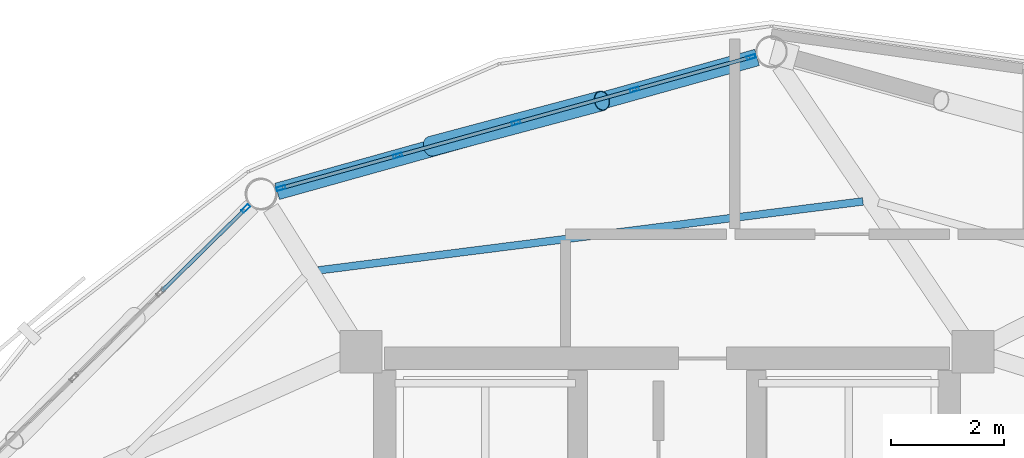
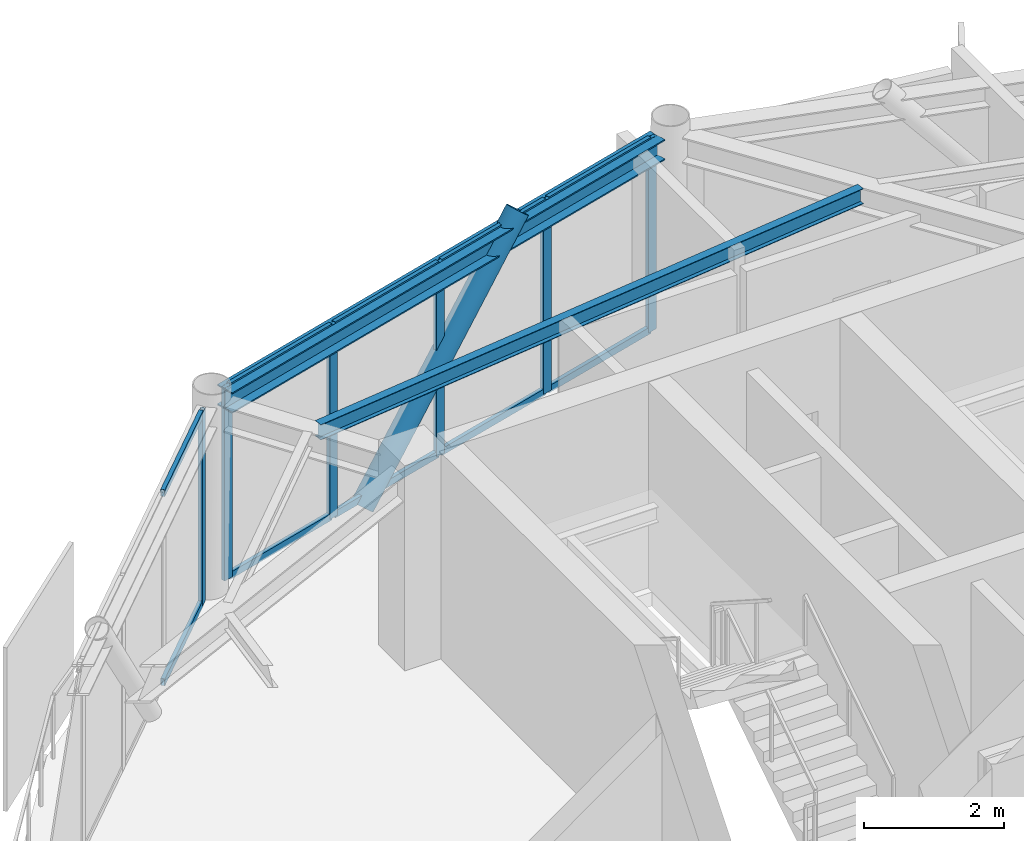
# One storey, part 18 of 27: 17 members, 2 beams, 2 elements without a shape of their own.
"""IFC4 building model written with IfcOpenShell, lengths in metres."""

from ifc_helpers import new_model, si_unit, direction, frame, origin, origin_2d, place, context, subcontext, project, spatial, hollow_rectangle, hollow_circle, i_section, extrude, material, layer, layer_set, material_profile, profile_set, type_object, element, aggregate, save


model = new_model("IFC4")

# Units and contexts
model_context = context("Model", 3, precision=1e-05, world=origin(), true_north=direction((0.0, 1.0)))
body_context = subcontext(model_context, "Body", "Model", "MODEL_VIEW")
ifc_project = project(units=[si_unit("LENGTHUNIT", "METRE"), si_unit("AREAUNIT", "SQUARE_METRE"), si_unit("VOLUMEUNIT", "CUBIC_METRE"), si_unit("PLANEANGLEUNIT", "RADIAN"), si_unit("MASSUNIT", "GRAM", prefix="KILO")], contexts=[model_context])

# Site, building, storey
site_placement = place(None, origin())
site = spatial("IfcSite", under=ifc_project, at=site_placement, CompositionType="ELEMENT")
building_placement = place(site_placement, origin())
building = spatial("IfcBuilding", under=site, at=building_placement, Name="Varnakorn Sky Granary", CompositionType="ELEMENT")
storey_placement = place(building_placement, frame((0.0, 0.0, 263.39990234375)))
storey = spatial("IfcBuildingStorey", under=building, at=storey_placement, Name="L67", CompositionType="ELEMENT", Elevation=263.39990234375)

# Beams
ifc_material_1 = material(Name="Steel S355JR", Category="steel")
ifc_material_profile_1 = material_profile(ifc_material_1, i_section(OverallWidth=0.135009765625, OverallDepth=0.27001953125, WebThickness=0.006591796875, FlangeThickness=0.01025390625, at=origin_2d()), Name="IPE 270")
ifc_profile_set_1 = profile_set([ifc_material_profile_1], Name="Steel S355JR")
beam_type_1 = type_object("IfcBeamType", Name="BM-SEC-Z5", PredefinedType="BEAM", material=ifc_profile_set_1)
beam_1_placement = place(storey_placement, frame((6.470703125, 15.281494140625, 3.22509765625), z_axis=(-0.992072183401, -0.125669339625, 0.0), x_axis=(0.125669339625, -0.992072183401, 0.0)))
element("IfcBeam", 1, at=beam_1_placement, inside=storey, type_object=beam_type_1, Name="Secondary Floor Chord Beam MSB04 L67", PredefinedType="BEAM", context=body_context, shape_type="SweptSolid", body=[
    extrude(i_section(OverallWidth=0.135009765625, OverallDepth=0.27001953125, WebThickness=0.006591796875, FlangeThickness=0.01025390625, at=origin_2d()), origin(), (0.0, 0.0, 1.0), 9.723388671875),
])
ifc_material_profile_2 = material_profile(ifc_material_1, i_section(OverallWidth=0.300048828125, OverallDepth=0.360107421875, WebThickness=0.012451171875, FlangeThickness=0.0224609375, at=origin_2d()), Name="HE 360 B")
ifc_profile_set_2 = profile_set([ifc_material_profile_2], Name="Steel S355JR")
beam_type_2 = type_object("IfcBeamType", Name="BM-SPD-Z5", PredefinedType="SPANDREL", material=ifc_profile_set_2)
beam_2_placement = place(storey_placement, frame((4.59521484375, 17.831787109375, 3.18017578125), z_axis=(-0.963169148577, -0.268896246218, 0.0), x_axis=(0.268896246218, -0.963169148577, 0.0)))
element("IfcBeam", 2, at=beam_2_placement, inside=storey, type_object=beam_type_2, Name="Perimeter Spandrel Ring Beam RB04 L67", PredefinedType="SPANDREL", context=body_context, shape_type="SweptSolid", body=[
    extrude(i_section(OverallWidth=0.300048828125, OverallDepth=0.360107421875, WebThickness=0.012451171875, FlangeThickness=0.0224609375, at=origin_2d()), origin(), (0.0, 0.0, 1.0), 8.825927734375),
])

# Curtain wall, members
ifc_material_2 = material(Name="Anodised Bronze Aluminium Alloy 6063-T6", Category="aluminium")
ifc_layer = layer(ifc_material_2, 0.159912109375, Name="Anodised Bronze Aluminium Alloy 6063-T6")
ifc_layer_set = layer_set([ifc_layer], Name="Anodised Bronze Aluminium Alloy 6063-T6")
curtain_wall_type = type_object("IfcCurtainWallType", Name="CW-OFF-1", PredefinedType="USERDEFINED", material=ifc_layer_set)
curtain_wall_1_placement = place(storey_placement, origin())
curtain_wall_1 = element("IfcCurtainWall", 3, at=curtain_wall_1_placement, inside=storey, type_object=curtain_wall_type, Name="Unitised Curtain Wall CW6 CW-L67-B04", ObjectType="CURTAIN WALL", PredefinedType="USERDEFINED")
ifc_material_profile_3 = material_profile(ifc_material_2, hollow_rectangle(XDim=0.06494140625, YDim=0.159912109375, WallThickness=0.00341796875, at=origin_2d()), Name="ALU MULL 65x160")
ifc_profile_set_3 = profile_set([ifc_material_profile_3], Name="Anodised Bronze Aluminium Alloy 6063-T6")
member_type_1 = type_object("IfcMemberType", Name="CW-OFF-1-MULL", PredefinedType="MULLION", material=ifc_profile_set_3)
member_1_placement = place(storey_placement, frame((-3.836181640625, 15.516845703125, 0.0), z_axis=(0.0, 0.0, 1.0), x_axis=(-0.268401127573, 0.963307237966, 0.0)))
member_1 = element("IfcMember", 4, at=member_1_placement, type_object=member_type_1, Name="CW6 mullion 1", PredefinedType="MULLION", context=body_context, shape_type="SweptSolid", body=[
    extrude(hollow_rectangle(XDim=0.06494140625, YDim=0.159912109375, WallThickness=0.00341796875, at=origin_2d()), origin(), (0.0, 0.0, 1.0), 3.360107421875),
])
member_2_placement = place(storey_placement, frame((-1.769775390625, 16.092529296875, 0.0), z_axis=(0.0, 0.0, 1.0), x_axis=(-0.268401127573, 0.963307237966, 0.0)))
member_2 = element("IfcMember", 5, at=member_2_placement, type_object=member_type_1, Name="CW6 mullion 2", PredefinedType="MULLION", context=body_context, shape_type="SweptSolid", body=[
    extrude(hollow_rectangle(XDim=0.06494140625, YDim=0.159912109375, WallThickness=0.00341796875, at=origin_2d()), origin(), (0.0, 0.0, 1.0), 3.360107421875),
])
member_3_placement = place(storey_placement, frame((0.32763671875, 16.677001953125, 0.0), z_axis=(0.0, 0.0, 1.0), x_axis=(-0.268401127573, 0.963307237966, 0.0)))
member_3 = element("IfcMember", 6, at=member_3_placement, type_object=member_type_1, Name="CW6 mullion 3", PredefinedType="MULLION", context=body_context, shape_type="SweptSolid", body=[
    extrude(hollow_rectangle(XDim=0.06494140625, YDim=0.159912109375, WallThickness=0.00341796875, at=origin_2d()), origin(), (0.0, 0.0, 1.0), 3.360107421875),
])
member_4_placement = place(storey_placement, frame((2.42529296875, 17.261474609375, 0.0), z_axis=(0.0, 0.0, 1.0), x_axis=(-0.268401127573, 0.963307237966, 0.0)))
member_4 = element("IfcMember", 7, at=member_4_placement, type_object=member_type_1, Name="CW6 mullion 4", PredefinedType="MULLION", context=body_context, shape_type="SweptSolid", body=[
    extrude(hollow_rectangle(XDim=0.06494140625, YDim=0.159912109375, WallThickness=0.00341796875, at=origin_2d()), origin(), (0.0, 0.0, 1.0), 3.360107421875),
])
member_5_placement = place(storey_placement, frame((4.49169921875, 17.837158203125, 0.0), z_axis=(0.0, 0.0, 1.0), x_axis=(-0.268401127573, 0.963307237966, 0.0)))
member_5 = element("IfcMember", 8, at=member_5_placement, type_object=member_type_1, Name="CW6 mullion 5", PredefinedType="MULLION", context=body_context, shape_type="SweptSolid", body=[
    extrude(hollow_rectangle(XDim=0.06494140625, YDim=0.159912109375, WallThickness=0.00341796875, at=origin_2d()), origin(), (0.0, 0.0, 1.0), 3.360107421875),
])

# Curtain wall, member
curtain_wall_2_placement = place(storey_placement, origin())
curtain_wall_2 = element("IfcCurtainWall", 9, at=curtain_wall_2_placement, inside=storey, type_object=curtain_wall_type, Name="Unitised Curtain Wall CW6 CW-L67-B05", ObjectType="CURTAIN WALL", PredefinedType="USERDEFINED")
member_6_placement = place(storey_placement, frame((-4.459716796875, 15.156005859375, 0.0), z_axis=(0.0, 0.0, 1.0), x_axis=(-0.701440030116, 0.71272847856, 0.0)))
member_6 = element("IfcMember", 10, at=member_6_placement, type_object=member_type_1, Name="CW6 mullion 5", PredefinedType="MULLION", context=body_context, shape_type="SweptSolid", body=[
    extrude(hollow_rectangle(XDim=0.06494140625, YDim=0.159912109375, WallThickness=0.00341796875, at=origin_2d()), origin(), (0.0, 0.0, 1.0), 3.360107421875),
])

# Member
ifc_material_profile_4 = material_profile(ifc_material_2, hollow_rectangle(XDim=0.06494140625, YDim=0.1201171875, WallThickness=0.00341796875, at=origin_2d()), Name="ALU TRAN 65x120")
ifc_profile_set_4 = profile_set([ifc_material_profile_4], Name="Anodised Bronze Aluminium Alloy 6063-T6")
member_type_2 = type_object("IfcMemberType", Name="CW-OFF-1-TRAN", PredefinedType="USERDEFINED", material=ifc_profile_set_4)
member_7_placement = place(storey_placement, frame((-3.804931640625, 15.525634765625, 0.03271484375), z_axis=(0.963327640961, 0.26832788927, 0.0), x_axis=(-0.26832788927, 0.963327640961, 0.0)))
member_7 = element("IfcMember", 11, at=member_7_placement, type_object=member_type_2, Name="CW6 transom 1.1", ObjectType="TRANSOM", PredefinedType="USERDEFINED", context=body_context, shape_type="SweptSolid", body=[
    extrude(hollow_rectangle(XDim=0.06494140625, YDim=0.1201171875, WallThickness=0.00341796875, at=origin_2d()), origin(), (0.0, 0.0, 1.0), 2.079833984375),
])

member_8_placement = place(storey_placement, frame((-3.804931640625, 15.525634765625, 3.32763671875), z_axis=(0.963327640961, 0.26832788927, 0.0), x_axis=(-0.26832788927, 0.963327640961, 0.0)))
member_8 = element("IfcMember", 12, at=member_8_placement, type_object=member_type_2, Name="CW6 transom 1.2", ObjectType="TRANSOM", PredefinedType="USERDEFINED", context=body_context, shape_type="SweptSolid", body=[
    extrude(hollow_rectangle(XDim=0.06494140625, YDim=0.1201171875, WallThickness=0.00341796875, at=origin_2d()), origin(), (0.0, 0.0, 1.0), 2.079833984375),
])

member_9_placement = place(storey_placement, frame((-1.738525390625, 16.101318359375, 0.03271484375), z_axis=(0.963317287661, 0.268365056023, 0.0), x_axis=(-0.268365056023, 0.963317287661, 0.0)))
member_9 = element("IfcMember", 13, at=member_9_placement, type_object=member_type_2, Name="CW6 transom 2.1", ObjectType="TRANSOM", PredefinedType="USERDEFINED", context=body_context, shape_type="SweptSolid", body=[
    extrude(hollow_rectangle(XDim=0.06494140625, YDim=0.1201171875, WallThickness=0.00341796875, at=origin_2d()), origin(), (0.0, 0.0, 1.0), 2.1123046875),
])

member_10_placement = place(storey_placement, frame((-1.738525390625, 16.101318359375, 3.32763671875), z_axis=(0.963317287661, 0.268365056023, 0.0), x_axis=(-0.268365056023, 0.963317287661, 0.0)))
member_10 = element("IfcMember", 14, at=member_10_placement, type_object=member_type_2, Name="CW6 transom 2.2", ObjectType="TRANSOM", PredefinedType="USERDEFINED", context=body_context, shape_type="SweptSolid", body=[
    extrude(hollow_rectangle(XDim=0.06494140625, YDim=0.1201171875, WallThickness=0.00341796875, at=origin_2d()), origin(), (0.0, 0.0, 1.0), 2.1123046875),
])

member_11_placement = place(storey_placement, frame((0.359130859375, 16.685791015625, 0.03271484375), z_axis=(0.963317287661, 0.268365056023, 0.0), x_axis=(-0.268365056023, 0.963317287661, 0.0)))
member_11 = element("IfcMember", 15, at=member_11_placement, type_object=member_type_2, Name="CW6 transom 3.1", ObjectType="TRANSOM", PredefinedType="USERDEFINED", context=body_context, shape_type="SweptSolid", body=[
    extrude(hollow_rectangle(XDim=0.06494140625, YDim=0.1201171875, WallThickness=0.00341796875, at=origin_2d()), origin(), (0.0, 0.0, 1.0), 2.1123046875),
])

member_12_placement = place(storey_placement, frame((0.359130859375, 16.685791015625, 3.32763671875), z_axis=(0.963317287661, 0.268365056023, 0.0), x_axis=(-0.268365056023, 0.963317287661, 0.0)))
member_12 = element("IfcMember", 16, at=member_12_placement, type_object=member_type_2, Name="CW6 transom 3.2", ObjectType="TRANSOM", PredefinedType="USERDEFINED", context=body_context, shape_type="SweptSolid", body=[
    extrude(hollow_rectangle(XDim=0.06494140625, YDim=0.1201171875, WallThickness=0.00341796875, at=origin_2d()), origin(), (0.0, 0.0, 1.0), 2.1123046875),
])

member_13_placement = place(storey_placement, frame((2.456787109375, 17.270263671875, 0.03271484375), z_axis=(0.963327640961, 0.26832788927, 0.0), x_axis=(-0.26832788927, 0.963327640961, 0.0)))
member_13 = element("IfcMember", 17, at=member_13_placement, type_object=member_type_2, Name="CW6 transom 4.1", ObjectType="TRANSOM", PredefinedType="USERDEFINED", context=body_context, shape_type="SweptSolid", body=[
    extrude(hollow_rectangle(XDim=0.06494140625, YDim=0.1201171875, WallThickness=0.00341796875, at=origin_2d()), origin(), (0.0, 0.0, 1.0), 2.079833984375),
])

member_14_placement = place(storey_placement, frame((2.456787109375, 17.270263671875, 3.32763671875), z_axis=(0.963327640961, 0.26832788927, 0.0), x_axis=(-0.26832788927, 0.963327640961, 0.0)))
member_14 = element("IfcMember", 18, at=member_14_placement, type_object=member_type_2, Name="CW6 transom 4.2", ObjectType="TRANSOM", PredefinedType="USERDEFINED", context=body_context, shape_type="SweptSolid", body=[
    extrude(hollow_rectangle(XDim=0.06494140625, YDim=0.1201171875, WallThickness=0.00341796875, at=origin_2d()), origin(), (0.0, 0.0, 1.0), 2.079833984375),
])

aggregate(curtain_wall_1, [member_1, member_2, member_3, member_4, member_5, member_7, member_8, member_9, member_10, member_11, member_12, member_13, member_14])

member_15_placement = place(storey_placement, frame((-5.947509765625, 13.691650390625, 0.03271484375), z_axis=(0.712668234891, 0.701501238044, 0.0), x_axis=(-0.701501238044, 0.712668234891, 0.0)))
member_15 = element("IfcMember", 19, at=member_15_placement, type_object=member_type_2, Name="CW6 transom 4.1", ObjectType="TRANSOM", PredefinedType="USERDEFINED", context=body_context, shape_type="SweptSolid", body=[
    extrude(hollow_rectangle(XDim=0.06494140625, YDim=0.1201171875, WallThickness=0.00341796875, at=origin_2d()), origin(), (0.0, 0.0, 1.0), 2.05517578125),
])

member_16_placement = place(storey_placement, frame((-5.947509765625, 13.691650390625, 3.32763671875), z_axis=(0.712668234891, 0.701501238044, 0.0), x_axis=(-0.701501238044, 0.712668234891, 0.0)))
member_16 = element("IfcMember", 20, at=member_16_placement, type_object=member_type_2, Name="CW6 transom 4.2", ObjectType="TRANSOM", PredefinedType="USERDEFINED", context=body_context, shape_type="SweptSolid", body=[
    extrude(hollow_rectangle(XDim=0.06494140625, YDim=0.1201171875, WallThickness=0.00341796875, at=origin_2d()), origin(), (0.0, 0.0, 1.0), 2.05517578125),
])

aggregate(curtain_wall_2, [member_6, member_15, member_16])

ifc_material_3 = material(Name="Steel S460M", Category="steel")
ifc_material_profile_5 = material_profile(ifc_material_3, hollow_circle(Radius=0.177734375, WallThickness=0.01416015625, at=origin_2d()), Name="CHS 355.6x14")
ifc_profile_set_5 = profile_set([ifc_material_profile_5], Name="Steel S460M")
member_type_3 = type_object("IfcMemberType", Name="MB-DIAG-T5", PredefinedType="BRACE", material=ifc_profile_set_5)
member_17_placement = place(storey_placement, frame((-1.1796875, 16.257080078125, -0.1298828125), z_axis=(0.632190475095, 0.168669132807, 0.75623139768), x_axis=(-0.257783941573, 0.966202587177, 0.0)))
element("IfcMember", 21, at=member_17_placement, inside=storey, type_object=member_type_3, Name="Perimeter CHS Diagrid Brace DG04 L67", PredefinedType="BRACE", context=body_context, shape_type="SweptSolid", body=[
    extrude(hollow_circle(Radius=0.177734375, WallThickness=0.01416015625, at=origin_2d()), origin(), (0.0, 0.0, 1.0), 4.78662109375),
])

save(model, "model.ifc")
